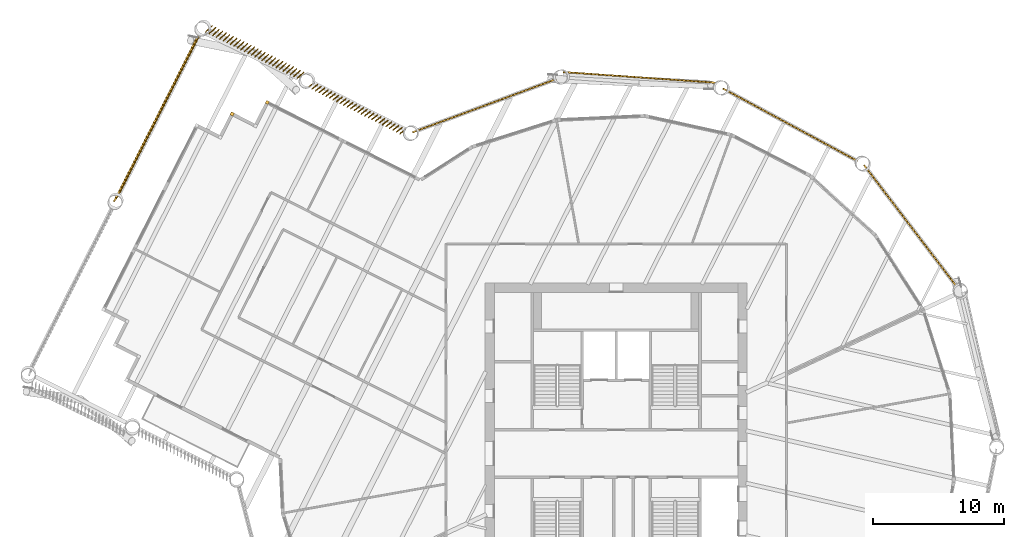
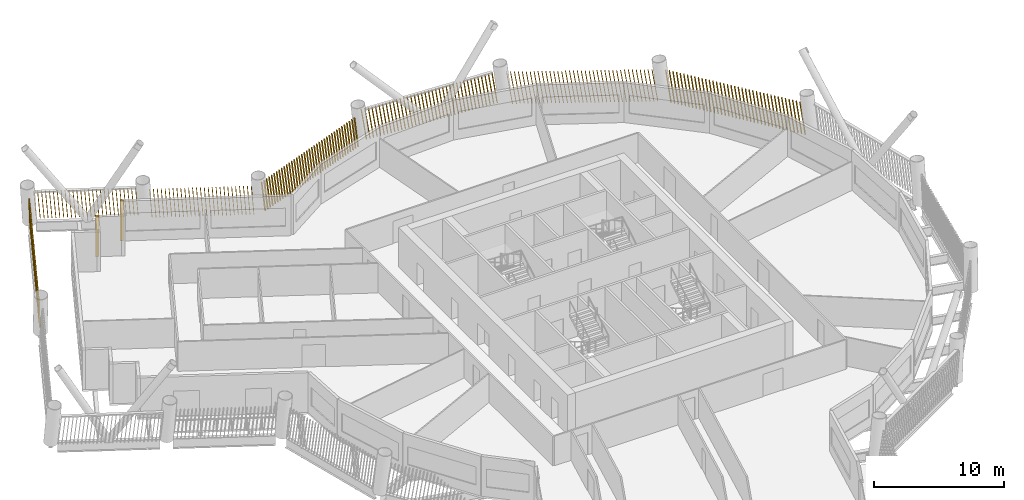
# One storey, part 20 of 21: 9 shading devices.
"""IFC4 building model written with IfcOpenShell, lengths in metres."""

from ifc_helpers import new_model, si_unit, direction, frame, frame_2d, origin, origin_2d, place, context, subcontext, project, spatial, rectangle, composite_profile, extrude, material, type_object, element, save


model = new_model("IFC4")

# Units and contexts
model_context = context("Model", 3, precision=1e-05, world=origin(), true_north=direction((0.0, 1.0)))
body_context = subcontext(model_context, "Body", "Model", "MODEL_VIEW")
ifc_project = project(units=[si_unit("LENGTHUNIT", "METRE"), si_unit("AREAUNIT", "SQUARE_METRE"), si_unit("VOLUMEUNIT", "CUBIC_METRE"), si_unit("PLANEANGLEUNIT", "RADIAN"), si_unit("MASSUNIT", "GRAM", prefix="KILO")], contexts=[model_context])

# Site, building, storey
site_placement = place(None, origin())
site = spatial("IfcSite", under=ifc_project, at=site_placement, CompositionType="ELEMENT")
building_placement = place(site_placement, origin())
building = spatial("IfcBuilding", under=site, at=building_placement, Name="Tarsis Ring Headquarters", CompositionType="ELEMENT")
storey_placement = place(building_placement, frame((0.0, 0.0, 171.0)))
storey = spatial("IfcBuildingStorey", under=building, at=storey_placement, Name="L39", CompositionType="ELEMENT", Elevation=171.0)

# Shading devices
ifc_material = material(Name="Terracotta baguette", Category="masonry")
shading_device_type_1 = type_object("IfcShadingDeviceType", Name="Terracotta baguette screen", PredefinedType="USERDEFINED", material=ifc_material)
shading_device_1_placement = place(storey_placement, frame((25.99365234375, 12.73828125, 0.0), z_axis=(0.0, 0.0, 1.0), x_axis=(-0.606129004254, 0.795359840264, 0.0)))
element("IfcShadingDevice", 1, at=shading_device_1_placement, inside=storey, type_object=shading_device_type_1, Name="Baguette screen L39-11", ObjectType="Terracotta baguette screen", PredefinedType="USERDEFINED", context=body_context, shape_type="SweptSolid", body=[
    extrude(composite_profile([rectangle(XDim=0.06005859375, YDim=0.1201171875, at=frame_2d((0.030029296875, 0.0))), rectangle(XDim=0.06005859375, YDim=0.1201171875, at=frame_2d((0.33251953125, 0.0))), rectangle(XDim=0.06005859375, YDim=0.1201171875, at=frame_2d((0.634765625, 0.0))), rectangle(XDim=0.06005859375, YDim=0.1201171875, at=frame_2d((0.937255859375, 0.0))), rectangle(XDim=0.06005859375, YDim=0.1201171875, at=frame_2d((1.239501953125, 0.0))), rectangle(XDim=0.06005859375, YDim=0.1201171875, at=frame_2d((1.5419921875, 0.0))), rectangle(XDim=0.06005859375, YDim=0.1201171875, at=frame_2d((1.844482421875, 0.0))), rectangle(XDim=0.06005859375, YDim=0.1201171875, at=frame_2d((2.146728515625, 0.0))), rectangle(XDim=0.06005859375, YDim=0.1201171875, at=frame_2d((2.44921875, 0.0))), rectangle(XDim=0.06005859375, YDim=0.1201171875, at=frame_2d((2.751708984375, 0.0))), rectangle(XDim=0.06005859375, YDim=0.1201171875, at=frame_2d((3.053955078125, 0.0))), rectangle(XDim=0.06005859375, YDim=0.1201171875, at=frame_2d((3.3564453125, 0.0))), rectangle(XDim=0.06005859375, YDim=0.1201171875, at=frame_2d((3.65869140625, 0.0))), rectangle(XDim=0.06005859375, YDim=0.1201171875, at=frame_2d((3.961181640625, 0.0))), rectangle(XDim=0.06005859375, YDim=0.1201171875, at=frame_2d((4.263671875, 0.0))), rectangle(XDim=0.06005859375, YDim=0.1201171875, at=frame_2d((4.56591796875, 0.0))), rectangle(XDim=0.06005859375, YDim=0.1201171875, at=frame_2d((4.868408203125, 0.0))), rectangle(XDim=0.06005859375, YDim=0.1201171875, at=frame_2d((5.1708984375, 0.0))), rectangle(XDim=0.06005859375, YDim=0.1201171875, at=frame_2d((5.47314453125, 0.0))), rectangle(XDim=0.06005859375, YDim=0.1201171875, at=frame_2d((5.775634765625, 0.0))), rectangle(XDim=0.06005859375, YDim=0.1201171875, at=frame_2d((6.077880859375, 0.0))), rectangle(XDim=0.06005859375, YDim=0.1201171875, at=frame_2d((6.38037109375, 0.0))), rectangle(XDim=0.06005859375, YDim=0.1201171875, at=frame_2d((6.682861328125, 0.0))), rectangle(XDim=0.06005859375, YDim=0.1201171875, at=frame_2d((6.985107421875, 0.0))), rectangle(XDim=0.06005859375, YDim=0.1201171875, at=frame_2d((7.28759765625, 0.0))), rectangle(XDim=0.06005859375, YDim=0.1201171875, at=frame_2d((7.590087890625, 0.0))), rectangle(XDim=0.06005859375, YDim=0.1201171875, at=frame_2d((7.892333984375, 0.0))), rectangle(XDim=0.06005859375, YDim=0.1201171875, at=frame_2d((8.19482421875, 0.0))), rectangle(XDim=0.06005859375, YDim=0.1201171875, at=frame_2d((8.4970703125, 0.0))), rectangle(XDim=0.06005859375, YDim=0.1201171875, at=frame_2d((8.799560546875, 0.0))), rectangle(XDim=0.06005859375, YDim=0.1201171875, at=frame_2d((9.10205078125, 0.0))), rectangle(XDim=0.06005859375, YDim=0.1201171875, at=frame_2d((9.404296875, 0.0))), rectangle(XDim=0.06005859375, YDim=0.1201171875, at=frame_2d((9.706787109375, 0.0))), rectangle(XDim=0.06005859375, YDim=0.1201171875, at=frame_2d((10.00927734375, 0.0))), rectangle(XDim=0.06005859375, YDim=0.1201171875, at=frame_2d((10.3115234375, 0.0))), rectangle(XDim=0.06005859375, YDim=0.1201171875, at=frame_2d((10.614013671875, 0.0))), rectangle(XDim=0.06005859375, YDim=0.1201171875, at=frame_2d((10.916259765625, 0.0))), rectangle(XDim=0.06005859375, YDim=0.1201171875, at=frame_2d((11.21875, 0.0)))]), origin(), (0.149494960968, 0.00117634345, 0.988761787723), 2.9833984375),
])
shading_device_2_placement = place(storey_placement, frame((18.43212890625, 22.3203125, 0.0), z_axis=(0.0, 0.0, 1.0), x_axis=(-0.880086814976, 0.474791101465, 0.0)))
element("IfcShadingDevice", 2, at=shading_device_2_placement, inside=storey, type_object=shading_device_type_1, Name="Baguette screen L39-12", ObjectType="Terracotta baguette screen", PredefinedType="USERDEFINED", context=body_context, shape_type="SweptSolid", body=[
    extrude(composite_profile([rectangle(XDim=0.06005859375, YDim=0.1201171875, at=frame_2d((0.030029296875, 0.0))), rectangle(XDim=0.06005859375, YDim=0.1201171875, at=frame_2d((0.33251953125, 0.0))), rectangle(XDim=0.06005859375, YDim=0.1201171875, at=frame_2d((0.634765625, 0.0))), rectangle(XDim=0.06005859375, YDim=0.1201171875, at=frame_2d((0.937255859375, 0.0))), rectangle(XDim=0.06005859375, YDim=0.1201171875, at=frame_2d((1.239501953125, 0.0))), rectangle(XDim=0.06005859375, YDim=0.1201171875, at=frame_2d((1.5419921875, 0.0))), rectangle(XDim=0.06005859375, YDim=0.1201171875, at=frame_2d((1.844482421875, 0.0))), rectangle(XDim=0.06005859375, YDim=0.1201171875, at=frame_2d((2.146728515625, 0.0))), rectangle(XDim=0.06005859375, YDim=0.1201171875, at=frame_2d((2.44921875, 0.0))), rectangle(XDim=0.06005859375, YDim=0.1201171875, at=frame_2d((2.751708984375, 0.0))), rectangle(XDim=0.06005859375, YDim=0.1201171875, at=frame_2d((3.053955078125, 0.0))), rectangle(XDim=0.06005859375, YDim=0.1201171875, at=frame_2d((3.3564453125, 0.0))), rectangle(XDim=0.06005859375, YDim=0.1201171875, at=frame_2d((3.65869140625, 0.0))), rectangle(XDim=0.06005859375, YDim=0.1201171875, at=frame_2d((3.961181640625, 0.0))), rectangle(XDim=0.06005859375, YDim=0.1201171875, at=frame_2d((4.263671875, 0.0))), rectangle(XDim=0.06005859375, YDim=0.1201171875, at=frame_2d((4.56591796875, 0.0))), rectangle(XDim=0.06005859375, YDim=0.1201171875, at=frame_2d((4.868408203125, 0.0))), rectangle(XDim=0.06005859375, YDim=0.1201171875, at=frame_2d((5.1708984375, 0.0))), rectangle(XDim=0.06005859375, YDim=0.1201171875, at=frame_2d((5.47314453125, 0.0))), rectangle(XDim=0.06005859375, YDim=0.1201171875, at=frame_2d((5.775634765625, 0.0))), rectangle(XDim=0.06005859375, YDim=0.1201171875, at=frame_2d((6.077880859375, 0.0))), rectangle(XDim=0.06005859375, YDim=0.1201171875, at=frame_2d((6.38037109375, 0.0))), rectangle(XDim=0.06005859375, YDim=0.1201171875, at=frame_2d((6.682861328125, 0.0))), rectangle(XDim=0.06005859375, YDim=0.1201171875, at=frame_2d((6.985107421875, 0.0))), rectangle(XDim=0.06005859375, YDim=0.1201171875, at=frame_2d((7.28759765625, 0.0))), rectangle(XDim=0.06005859375, YDim=0.1201171875, at=frame_2d((7.590087890625, 0.0))), rectangle(XDim=0.06005859375, YDim=0.1201171875, at=frame_2d((7.892333984375, 0.0))), rectangle(XDim=0.06005859375, YDim=0.1201171875, at=frame_2d((8.19482421875, 0.0))), rectangle(XDim=0.06005859375, YDim=0.1201171875, at=frame_2d((8.4970703125, 0.0))), rectangle(XDim=0.06005859375, YDim=0.1201171875, at=frame_2d((8.799560546875, 0.0))), rectangle(XDim=0.06005859375, YDim=0.1201171875, at=frame_2d((9.10205078125, 0.0))), rectangle(XDim=0.06005859375, YDim=0.1201171875, at=frame_2d((9.404296875, 0.0))), rectangle(XDim=0.06005859375, YDim=0.1201171875, at=frame_2d((9.706787109375, 0.0))), rectangle(XDim=0.06005859375, YDim=0.1201171875, at=frame_2d((10.00927734375, 0.0))), rectangle(XDim=0.06005859375, YDim=0.1201171875, at=frame_2d((10.3115234375, 0.0))), rectangle(XDim=0.06005859375, YDim=0.1201171875, at=frame_2d((10.614013671875, 0.0))), rectangle(XDim=0.06005859375, YDim=0.1201171875, at=frame_2d((10.916259765625, 0.0))), rectangle(XDim=0.06005859375, YDim=0.1201171875, at=frame_2d((11.21875, 0.0)))]), origin(), (0.149494341797, 0.001173572499, 0.988761884631), 2.9833984375),
])
shading_device_3_placement = place(storey_placement, frame((7.61962890625, 28.3076171875, 0.0), z_axis=(0.0, 0.0, 1.0), x_axis=(-0.997569180684, 0.069820944113, 0.0)))
element("IfcShadingDevice", 3, at=shading_device_3_placement, inside=storey, type_object=shading_device_type_1, Name="Baguette screen L39-13", ObjectType="Terracotta baguette screen", PredefinedType="USERDEFINED", context=body_context, shape_type="SweptSolid", body=[
    extrude(composite_profile([rectangle(XDim=0.06005859375, YDim=0.1201171875, at=frame_2d((0.030029296875, 0.0))), rectangle(XDim=0.06005859375, YDim=0.1201171875, at=frame_2d((0.33251953125, 0.0))), rectangle(XDim=0.06005859375, YDim=0.1201171875, at=frame_2d((0.634765625, 0.0))), rectangle(XDim=0.06005859375, YDim=0.1201171875, at=frame_2d((0.937255859375, 0.0))), rectangle(XDim=0.06005859375, YDim=0.1201171875, at=frame_2d((1.239501953125, 0.0))), rectangle(XDim=0.06005859375, YDim=0.1201171875, at=frame_2d((1.5419921875, 0.0))), rectangle(XDim=0.06005859375, YDim=0.1201171875, at=frame_2d((1.844482421875, 0.0))), rectangle(XDim=0.06005859375, YDim=0.1201171875, at=frame_2d((2.146728515625, 0.0))), rectangle(XDim=0.06005859375, YDim=0.1201171875, at=frame_2d((2.44921875, 0.0))), rectangle(XDim=0.06005859375, YDim=0.1201171875, at=frame_2d((2.751708984375, 0.0))), rectangle(XDim=0.06005859375, YDim=0.1201171875, at=frame_2d((3.053955078125, 0.0))), rectangle(XDim=0.06005859375, YDim=0.1201171875, at=frame_2d((3.3564453125, 0.0))), rectangle(XDim=0.06005859375, YDim=0.1201171875, at=frame_2d((3.65869140625, 0.0))), rectangle(XDim=0.06005859375, YDim=0.1201171875, at=frame_2d((3.961181640625, 0.0))), rectangle(XDim=0.06005859375, YDim=0.1201171875, at=frame_2d((4.263671875, 0.0))), rectangle(XDim=0.06005859375, YDim=0.1201171875, at=frame_2d((4.56591796875, 0.0))), rectangle(XDim=0.06005859375, YDim=0.1201171875, at=frame_2d((4.868408203125, 0.0))), rectangle(XDim=0.06005859375, YDim=0.1201171875, at=frame_2d((5.1708984375, 0.0))), rectangle(XDim=0.06005859375, YDim=0.1201171875, at=frame_2d((5.47314453125, 0.0))), rectangle(XDim=0.06005859375, YDim=0.1201171875, at=frame_2d((5.775634765625, 0.0))), rectangle(XDim=0.06005859375, YDim=0.1201171875, at=frame_2d((6.077880859375, 0.0))), rectangle(XDim=0.06005859375, YDim=0.1201171875, at=frame_2d((6.38037109375, 0.0))), rectangle(XDim=0.06005859375, YDim=0.1201171875, at=frame_2d((6.682861328125, 0.0))), rectangle(XDim=0.06005859375, YDim=0.1201171875, at=frame_2d((6.985107421875, 0.0))), rectangle(XDim=0.06005859375, YDim=0.1201171875, at=frame_2d((7.28759765625, 0.0))), rectangle(XDim=0.06005859375, YDim=0.1201171875, at=frame_2d((7.590087890625, 0.0))), rectangle(XDim=0.06005859375, YDim=0.1201171875, at=frame_2d((7.892333984375, 0.0))), rectangle(XDim=0.06005859375, YDim=0.1201171875, at=frame_2d((8.19482421875, 0.0))), rectangle(XDim=0.06005859375, YDim=0.1201171875, at=frame_2d((8.4970703125, 0.0))), rectangle(XDim=0.06005859375, YDim=0.1201171875, at=frame_2d((8.799560546875, 0.0))), rectangle(XDim=0.06005859375, YDim=0.1201171875, at=frame_2d((9.10205078125, 0.0))), rectangle(XDim=0.06005859375, YDim=0.1201171875, at=frame_2d((9.404296875, 0.0))), rectangle(XDim=0.06005859375, YDim=0.1201171875, at=frame_2d((9.706787109375, 0.0))), rectangle(XDim=0.06005859375, YDim=0.1201171875, at=frame_2d((10.00927734375, 0.0))), rectangle(XDim=0.06005859375, YDim=0.1201171875, at=frame_2d((10.3115234375, 0.0))), rectangle(XDim=0.06005859375, YDim=0.1201171875, at=frame_2d((10.614013671875, 0.0))), rectangle(XDim=0.06005859375, YDim=0.1201171875, at=frame_2d((10.916259765625, 0.0))), rectangle(XDim=0.06005859375, YDim=0.1201171875, at=frame_2d((11.21875, 0.0)))]), origin(), (0.15142654703, 0.001188875313, 0.988467797872), 2.984375),
])
shading_device_4_placement = place(storey_placement, frame((-4.595703125, 28.580078125, 0.0), z_axis=(0.0, 0.0, 1.0), x_axis=(-0.937666847531, -0.347563754748, 0.0)))
element("IfcShadingDevice", 4, at=shading_device_4_placement, inside=storey, type_object=shading_device_type_1, Name="Baguette screen L39-14", ObjectType="Terracotta baguette screen", PredefinedType="USERDEFINED", context=body_context, shape_type="SweptSolid", body=[
    extrude(composite_profile([rectangle(XDim=0.06005859375, YDim=0.1201171875, at=frame_2d((0.030029296875, 0.0))), rectangle(XDim=0.06005859375, YDim=0.1201171875, at=frame_2d((0.33251953125, 0.0))), rectangle(XDim=0.06005859375, YDim=0.1201171875, at=frame_2d((0.634765625, 0.0))), rectangle(XDim=0.06005859375, YDim=0.1201171875, at=frame_2d((0.937255859375, 0.0))), rectangle(XDim=0.06005859375, YDim=0.1201171875, at=frame_2d((1.239501953125, 0.0))), rectangle(XDim=0.06005859375, YDim=0.1201171875, at=frame_2d((1.5419921875, 0.0))), rectangle(XDim=0.06005859375, YDim=0.1201171875, at=frame_2d((1.844482421875, 0.0))), rectangle(XDim=0.06005859375, YDim=0.1201171875, at=frame_2d((2.146728515625, 0.0))), rectangle(XDim=0.06005859375, YDim=0.1201171875, at=frame_2d((2.44921875, 0.0))), rectangle(XDim=0.06005859375, YDim=0.1201171875, at=frame_2d((2.751708984375, 0.0))), rectangle(XDim=0.06005859375, YDim=0.1201171875, at=frame_2d((3.053955078125, 0.0))), rectangle(XDim=0.06005859375, YDim=0.1201171875, at=frame_2d((3.3564453125, 0.0))), rectangle(XDim=0.06005859375, YDim=0.1201171875, at=frame_2d((3.65869140625, 0.0))), rectangle(XDim=0.06005859375, YDim=0.1201171875, at=frame_2d((3.961181640625, 0.0))), rectangle(XDim=0.06005859375, YDim=0.1201171875, at=frame_2d((4.263671875, 0.0))), rectangle(XDim=0.06005859375, YDim=0.1201171875, at=frame_2d((4.56591796875, 0.0))), rectangle(XDim=0.06005859375, YDim=0.1201171875, at=frame_2d((4.868408203125, 0.0))), rectangle(XDim=0.06005859375, YDim=0.1201171875, at=frame_2d((5.1708984375, 0.0))), rectangle(XDim=0.06005859375, YDim=0.1201171875, at=frame_2d((5.47314453125, 0.0))), rectangle(XDim=0.06005859375, YDim=0.1201171875, at=frame_2d((5.775634765625, 0.0))), rectangle(XDim=0.06005859375, YDim=0.1201171875, at=frame_2d((6.077880859375, 0.0))), rectangle(XDim=0.06005859375, YDim=0.1201171875, at=frame_2d((6.38037109375, 0.0))), rectangle(XDim=0.06005859375, YDim=0.1201171875, at=frame_2d((6.682861328125, 0.0))), rectangle(XDim=0.06005859375, YDim=0.1201171875, at=frame_2d((6.985107421875, 0.0))), rectangle(XDim=0.06005859375, YDim=0.1201171875, at=frame_2d((7.28759765625, 0.0))), rectangle(XDim=0.06005859375, YDim=0.1201171875, at=frame_2d((7.590087890625, 0.0))), rectangle(XDim=0.06005859375, YDim=0.1201171875, at=frame_2d((7.892333984375, 0.0))), rectangle(XDim=0.06005859375, YDim=0.1201171875, at=frame_2d((8.19482421875, 0.0))), rectangle(XDim=0.06005859375, YDim=0.1201171875, at=frame_2d((8.4970703125, 0.0))), rectangle(XDim=0.06005859375, YDim=0.1201171875, at=frame_2d((8.799560546875, 0.0))), rectangle(XDim=0.06005859375, YDim=0.1201171875, at=frame_2d((9.10205078125, 0.0))), rectangle(XDim=0.06005859375, YDim=0.1201171875, at=frame_2d((9.404296875, 0.0))), rectangle(XDim=0.06005859375, YDim=0.1201171875, at=frame_2d((9.706787109375, 0.0))), rectangle(XDim=0.06005859375, YDim=0.1201171875, at=frame_2d((10.00927734375, 0.0))), rectangle(XDim=0.06005859375, YDim=0.1201171875, at=frame_2d((10.3115234375, 0.0))), rectangle(XDim=0.06005859375, YDim=0.1201171875, at=frame_2d((10.614013671875, 0.0))), rectangle(XDim=0.06005859375, YDim=0.1201171875, at=frame_2d((10.916259765625, 0.0))), rectangle(XDim=0.06005859375, YDim=0.1201171875, at=frame_2d((11.21875, 0.0)))]), origin(), (0.149497267266, 0.00117566447, 0.988761439829), 2.9833984375),
])
shading_device_5_placement = place(storey_placement, frame((-16.05810546875, 24.722412109375, 0.0), z_axis=(0.0, 0.0, 1.0), x_axis=(-0.892112336639, 0.451818209905, 0.0)))
element("IfcShadingDevice", 5, at=shading_device_5_placement, inside=storey, type_object=shading_device_type_1, Name="Baguette screen L39-15", ObjectType="Terracotta baguette screen", PredefinedType="USERDEFINED", context=body_context, shape_type="SweptSolid", body=[
    extrude(composite_profile([rectangle(XDim=0.06005859375, YDim=0.1201171875, at=frame_2d((0.030029296875, 0.0))), rectangle(XDim=0.06005859375, YDim=0.1201171875, at=frame_2d((0.33154296875, 0.0))), rectangle(XDim=0.06005859375, YDim=0.1201171875, at=frame_2d((0.63330078125, 0.0))), rectangle(XDim=0.06005859375, YDim=0.1201171875, at=frame_2d((0.934814453125, 0.0))), rectangle(XDim=0.06005859375, YDim=0.1201171875, at=frame_2d((1.236572265625, 0.0))), rectangle(XDim=0.06005859375, YDim=0.1201171875, at=frame_2d((1.5380859375, 0.0))), rectangle(XDim=0.06005859375, YDim=0.1201171875, at=frame_2d((1.83984375, 0.0))), rectangle(XDim=0.06005859375, YDim=0.1201171875, at=frame_2d((2.141357421875, 0.0))), rectangle(XDim=0.06005859375, YDim=0.1201171875, at=frame_2d((2.443115234375, 0.0))), rectangle(XDim=0.06005859375, YDim=0.1201171875, at=frame_2d((2.74462890625, 0.0))), rectangle(XDim=0.06005859375, YDim=0.1201171875, at=frame_2d((3.04638671875, 0.0))), rectangle(XDim=0.06005859375, YDim=0.1201171875, at=frame_2d((3.347900390625, 0.0))), rectangle(XDim=0.06005859375, YDim=0.1201171875, at=frame_2d((3.649658203125, 0.0))), rectangle(XDim=0.06005859375, YDim=0.1201171875, at=frame_2d((3.951171875, 0.0))), rectangle(XDim=0.06005859375, YDim=0.1201171875, at=frame_2d((4.252685546875, 0.0))), rectangle(XDim=0.06005859375, YDim=0.1201171875, at=frame_2d((4.554443359375, 0.0))), rectangle(XDim=0.06005859375, YDim=0.1201171875, at=frame_2d((4.85595703125, 0.0))), rectangle(XDim=0.06005859375, YDim=0.1201171875, at=frame_2d((5.15771484375, 0.0))), rectangle(XDim=0.06005859375, YDim=0.1201171875, at=frame_2d((5.459228515625, 0.0))), rectangle(XDim=0.06005859375, YDim=0.1201171875, at=frame_2d((5.760986328125, 0.0))), rectangle(XDim=0.06005859375, YDim=0.1201171875, at=frame_2d((6.0625, 0.0))), rectangle(XDim=0.06005859375, YDim=0.1201171875, at=frame_2d((6.3642578125, 0.0))), rectangle(XDim=0.06005859375, YDim=0.1201171875, at=frame_2d((6.665771484375, 0.0))), rectangle(XDim=0.06005859375, YDim=0.1201171875, at=frame_2d((6.967529296875, 0.0))), rectangle(XDim=0.06005859375, YDim=0.1201171875, at=frame_2d((7.26904296875, 0.0))), rectangle(XDim=0.06005859375, YDim=0.1201171875, at=frame_2d((7.57080078125, 0.0))), rectangle(XDim=0.06005859375, YDim=0.1201171875, at=frame_2d((7.872314453125, 0.0)))]), origin(), (0.076404172801, 0.155041972583, 0.984948927161), 2.9951171875),
])
shading_device_6_placement = place(storey_placement, frame((-23.83056640625, 29.0791015625, 0.0), z_axis=(0.0, 0.0, 1.0), x_axis=(-0.892112336639, 0.451818209905, 0.0)))
element("IfcShadingDevice", 6, at=shading_device_6_placement, inside=storey, type_object=shading_device_type_1, Name="Baguette screen L39-16", ObjectType="Terracotta baguette screen", PredefinedType="USERDEFINED", context=body_context, shape_type="SweptSolid", body=[
    extrude(composite_profile([rectangle(XDim=0.06005859375, YDim=0.1201171875, at=frame_2d((0.030029296875, 0.0))), rectangle(XDim=0.06005859375, YDim=0.1201171875, at=frame_2d((0.33154296875, 0.0))), rectangle(XDim=0.06005859375, YDim=0.1201171875, at=frame_2d((0.63330078125, 0.0))), rectangle(XDim=0.06005859375, YDim=0.1201171875, at=frame_2d((0.934814453125, 0.0))), rectangle(XDim=0.06005859375, YDim=0.1201171875, at=frame_2d((1.236572265625, 0.0))), rectangle(XDim=0.06005859375, YDim=0.1201171875, at=frame_2d((1.5380859375, 0.0))), rectangle(XDim=0.06005859375, YDim=0.1201171875, at=frame_2d((1.83984375, 0.0))), rectangle(XDim=0.06005859375, YDim=0.1201171875, at=frame_2d((2.141357421875, 0.0))), rectangle(XDim=0.06005859375, YDim=0.1201171875, at=frame_2d((2.443115234375, 0.0))), rectangle(XDim=0.06005859375, YDim=0.1201171875, at=frame_2d((2.74462890625, 0.0))), rectangle(XDim=0.06005859375, YDim=0.1201171875, at=frame_2d((3.04638671875, 0.0))), rectangle(XDim=0.06005859375, YDim=0.1201171875, at=frame_2d((3.347900390625, 0.0))), rectangle(XDim=0.06005859375, YDim=0.1201171875, at=frame_2d((3.649658203125, 0.0))), rectangle(XDim=0.06005859375, YDim=0.1201171875, at=frame_2d((3.951171875, 0.0))), rectangle(XDim=0.06005859375, YDim=0.1201171875, at=frame_2d((4.252685546875, 0.0))), rectangle(XDim=0.06005859375, YDim=0.1201171875, at=frame_2d((4.554443359375, 0.0))), rectangle(XDim=0.06005859375, YDim=0.1201171875, at=frame_2d((4.85595703125, 0.0))), rectangle(XDim=0.06005859375, YDim=0.1201171875, at=frame_2d((5.15771484375, 0.0))), rectangle(XDim=0.06005859375, YDim=0.1201171875, at=frame_2d((5.459228515625, 0.0))), rectangle(XDim=0.06005859375, YDim=0.1201171875, at=frame_2d((5.760986328125, 0.0))), rectangle(XDim=0.06005859375, YDim=0.1201171875, at=frame_2d((6.0625, 0.0))), rectangle(XDim=0.06005859375, YDim=0.1201171875, at=frame_2d((6.3642578125, 0.0))), rectangle(XDim=0.06005859375, YDim=0.1201171875, at=frame_2d((6.665771484375, 0.0))), rectangle(XDim=0.06005859375, YDim=0.1201171875, at=frame_2d((6.967529296875, 0.0))), rectangle(XDim=0.06005859375, YDim=0.1201171875, at=frame_2d((7.26904296875, 0.0))), rectangle(XDim=0.06005859375, YDim=0.1201171875, at=frame_2d((7.57080078125, 0.0))), rectangle(XDim=0.06005859375, YDim=0.1201171875, at=frame_2d((7.872314453125, 0.0)))]), origin(), (0.077352868942, 0.200060806027, 0.976725246709), 3.020263671875),
])
shading_device_7_placement = place(storey_placement, frame((-31.721435546875, 32.0947265625, 0.0), z_axis=(0.0, 0.0, 1.0), x_axis=(-0.451817779743, -0.892100840336, 0.0)))
element("IfcShadingDevice", 7, at=shading_device_7_placement, inside=storey, type_object=shading_device_type_1, Name="Baguette screen L39-17", ObjectType="Terracotta baguette screen", PredefinedType="USERDEFINED", context=body_context, shape_type="SweptSolid", body=[
    extrude(composite_profile([rectangle(XDim=0.06005859375, YDim=0.1201171875, at=frame_2d((0.030029296875, 0.0))), rectangle(XDim=0.06005859375, YDim=0.1201171875, at=frame_2d((0.33544921875, 0.0))), rectangle(XDim=0.06005859375, YDim=0.1201171875, at=frame_2d((0.640625, 0.0))), rectangle(XDim=0.06005859375, YDim=0.1201171875, at=frame_2d((0.946044921875, 0.0))), rectangle(XDim=0.06005859375, YDim=0.1201171875, at=frame_2d((1.25146484375, 0.0))), rectangle(XDim=0.06005859375, YDim=0.1201171875, at=frame_2d((1.556640625, 0.0))), rectangle(XDim=0.06005859375, YDim=0.1201171875, at=frame_2d((1.862060546875, 0.0))), rectangle(XDim=0.06005859375, YDim=0.1201171875, at=frame_2d((2.16748046875, 0.0))), rectangle(XDim=0.06005859375, YDim=0.1201171875, at=frame_2d((2.47265625, 0.0))), rectangle(XDim=0.06005859375, YDim=0.1201171875, at=frame_2d((2.778076171875, 0.0))), rectangle(XDim=0.06005859375, YDim=0.1201171875, at=frame_2d((3.08349609375, 0.0))), rectangle(XDim=0.06005859375, YDim=0.1201171875, at=frame_2d((3.388671875, 0.0))), rectangle(XDim=0.06005859375, YDim=0.1201171875, at=frame_2d((3.694091796875, 0.0))), rectangle(XDim=0.06005859375, YDim=0.1201171875, at=frame_2d((3.99951171875, 0.0))), rectangle(XDim=0.06005859375, YDim=0.1201171875, at=frame_2d((4.3046875, 0.0))), rectangle(XDim=0.06005859375, YDim=0.1201171875, at=frame_2d((4.610107421875, 0.0))), rectangle(XDim=0.06005859375, YDim=0.1201171875, at=frame_2d((4.91552734375, 0.0))), rectangle(XDim=0.06005859375, YDim=0.1201171875, at=frame_2d((5.220703125, 0.0))), rectangle(XDim=0.06005859375, YDim=0.1201171875, at=frame_2d((5.526123046875, 0.0))), rectangle(XDim=0.06005859375, YDim=0.1201171875, at=frame_2d((5.83154296875, 0.0))), rectangle(XDim=0.06005859375, YDim=0.1201171875, at=frame_2d((6.13671875, 0.0))), rectangle(XDim=0.06005859375, YDim=0.1201171875, at=frame_2d((6.442138671875, 0.0))), rectangle(XDim=0.06005859375, YDim=0.1201171875, at=frame_2d((6.74755859375, 0.0))), rectangle(XDim=0.06005859375, YDim=0.1201171875, at=frame_2d((7.052734375, 0.0))), rectangle(XDim=0.06005859375, YDim=0.1201171875, at=frame_2d((7.358154296875, 0.0))), rectangle(XDim=0.06005859375, YDim=0.1201171875, at=frame_2d((7.66357421875, 0.0))), rectangle(XDim=0.06005859375, YDim=0.1201171875, at=frame_2d((7.96875, 0.0))), rectangle(XDim=0.06005859375, YDim=0.1201171875, at=frame_2d((8.274169921875, 0.0))), rectangle(XDim=0.06005859375, YDim=0.1201171875, at=frame_2d((8.57958984375, 0.0))), rectangle(XDim=0.06005859375, YDim=0.1201171875, at=frame_2d((8.884765625, 0.0))), rectangle(XDim=0.06005859375, YDim=0.1201171875, at=frame_2d((9.190185546875, 0.0))), rectangle(XDim=0.06005859375, YDim=0.1201171875, at=frame_2d((9.49560546875, 0.0))), rectangle(XDim=0.06005859375, YDim=0.1201171875, at=frame_2d((9.80078125, 0.0))), rectangle(XDim=0.06005859375, YDim=0.1201171875, at=frame_2d((10.106201171875, 0.0))), rectangle(XDim=0.06005859375, YDim=0.1201171875, at=frame_2d((10.41162109375, 0.0))), rectangle(XDim=0.06005859375, YDim=0.1201171875, at=frame_2d((10.716796875, 0.0))), rectangle(XDim=0.06005859375, YDim=0.1201171875, at=frame_2d((11.022216796875, 0.0))), rectangle(XDim=0.06005859375, YDim=0.1201171875, at=frame_2d((11.32763671875, 0.0))), rectangle(XDim=0.06005859375, YDim=0.1201171875, at=frame_2d((11.6328125, 0.0))), rectangle(XDim=0.06005859375, YDim=0.1201171875, at=frame_2d((11.938232421875, 0.0))), rectangle(XDim=0.06005859375, YDim=0.1201171875, at=frame_2d((12.24365234375, 0.0))), rectangle(XDim=0.06005859375, YDim=0.1201171875, at=frame_2d((12.548828125, 0.0))), rectangle(XDim=0.06005859375, YDim=0.1201171875, at=frame_2d((12.854248046875, 0.0))), rectangle(XDim=0.06005859375, YDim=0.1201171875, at=frame_2d((13.15966796875, 0.0))), rectangle(XDim=0.06005859375, YDim=0.1201171875, at=frame_2d((13.46484375, 0.0))), rectangle(XDim=0.06005859375, YDim=0.1201171875, at=frame_2d((13.770263671875, 0.0)))]), origin(), (0.222332429336, -0.036641952839, 0.974282124519), 3.02783203125),
])
shading_device_type_2 = type_object("IfcShadingDeviceType", Name="Terracotta corner baguette 250x250", PredefinedType="USERDEFINED", material=ifc_material)
for number, where, z_axis, x_axis, name in (
    (8, (-26.639404296875, 26.802490234375, 0.0), (0.0, 0.0, 1.0), (-0.892113179153, 0.45181199141, 0.0), "Corner baguette L39-32"),
    (9, (-29.3271484375, 25.921875, 0.0), (0.0, 0.0, 1.0), (-0.892113336865, 0.451811680004, 0.0), "Corner baguette L39-34"),
):
    element("IfcShadingDevice", number, at=place(storey_placement, frame(where, z_axis=z_axis, x_axis=x_axis)), inside=storey, type_object=shading_device_type_2, Name=name, ObjectType="Terracotta corner baguette", PredefinedType="USERDEFINED", context=body_context, shape_type="SweptSolid", body=[
        extrude(rectangle(XDim=0.25, YDim=0.25, at=origin_2d()), origin(), (0.0, 0.0, 1.0), 3.739990234375),
    ])

save(model, "model.ifc")
